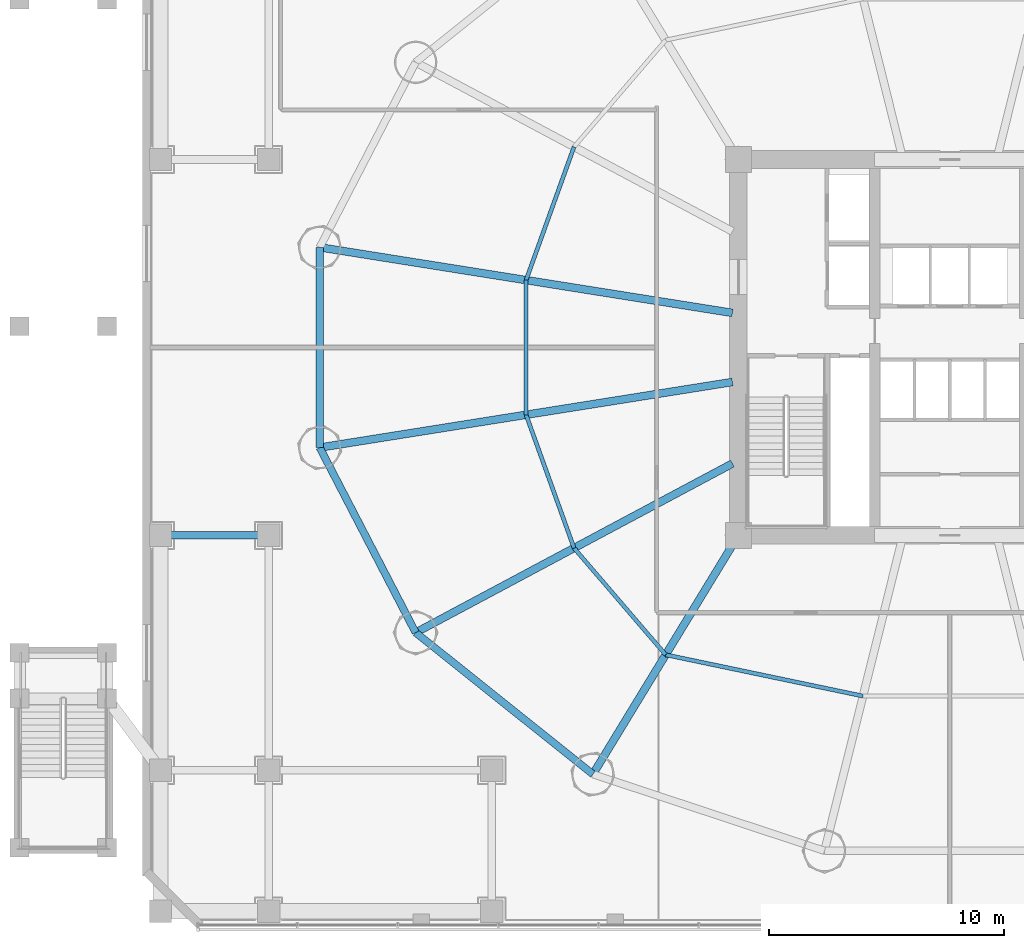
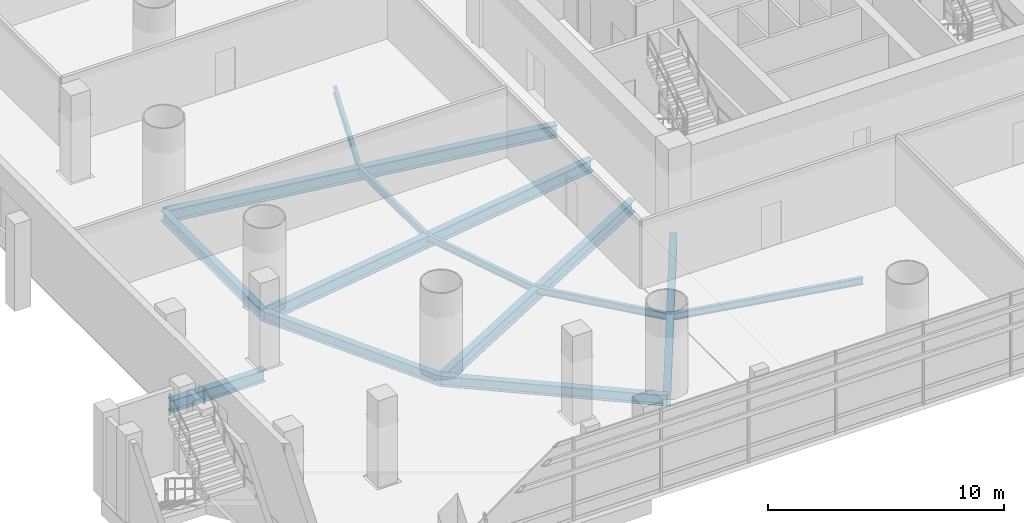
# One storey, part 5 of 36: 13 beams.
"""IFC4 building model written with IfcOpenShell, lengths in metres."""

from ifc_helpers import new_model, si_unit, direction, frame, origin, origin_2d, place, context, subcontext, project, spatial, i_section, extrude, material, material_profile, profile_set, type_object, element, save


model = new_model("IFC4")

# Units and contexts
model_context = context("Model", 3, precision=1e-05, world=origin(), true_north=direction((-0.2419218956, 0.970295726276)))
body_context = subcontext(model_context, "Body", "Model", "MODEL_VIEW")
ifc_project = project(units=[si_unit("LENGTHUNIT", "METRE"), si_unit("AREAUNIT", "SQUARE_METRE"), si_unit("VOLUMEUNIT", "CUBIC_METRE"), si_unit("PLANEANGLEUNIT", "RADIAN"), si_unit("MASSUNIT", "GRAM", prefix="KILO")], contexts=[model_context])

# Site, building, storey
site_placement = place(None, origin())
site = spatial("IfcSite", under=ifc_project, at=site_placement, CompositionType="ELEMENT")
building_placement = place(site_placement, origin())
building = spatial("IfcBuilding", under=site, at=building_placement, Name="Cobrevalo Terracotta Tower", CompositionType="ELEMENT")
storey_placement = place(building_placement, frame((0.0, 0.0, 5.39990234375)))
storey = spatial("IfcBuildingStorey", under=building, at=storey_placement, Name="L01", CompositionType="ELEMENT", Elevation=5.39990234375)

# Beams
ifc_material = material(Name="Steel S355", Category="steel")
ifc_material_profile_1 = material_profile(ifc_material, i_section(OverallWidth=0.324951171875, OverallDepth=0.615966796875, WebThickness=0.013916015625, FlangeThickness=0.021484375, at=origin_2d()), Name="W 610x174")
ifc_profile_set_1 = profile_set([ifc_material_profile_1], Name="Steel S355")
beam_type_1 = type_object("IfcBeamType", Name="Structural Beam W 610x174 (Steel S355)", PredefinedType="BEAM", material=ifc_profile_set_1)
beam_1_placement = place(storey_placement, frame((4.39990234375, 18.800048828125, -0.60791015625), z_axis=(1.0, 0.0, 0.0), x_axis=(0.0, 1.0, 0.0)))
element("IfcBeam", 1, at=beam_1_placement, inside=storey, type_object=beam_type_1, Name="L01 podium grid beam G1-GC to G2-GC", PredefinedType="BEAM", context=body_context, shape_type="SweptSolid", body=[
    extrude(i_section(OverallWidth=0.324951171875, OverallDepth=0.615966796875, WebThickness=0.013916015625, FlangeThickness=0.021484375, at=origin_2d()), origin(), (0.0, 0.0, 1.0), 4.60009765625),
])
ifc_material_profile_2 = material_profile(ifc_material, i_section(OverallWidth=0.3291015625, OverallDepth=0.635009765625, WebThickness=0.017822265625, FlangeThickness=0.031005859375, at=origin_2d()), Name="W 610x241")
ifc_profile_set_2 = profile_set([ifc_material_profile_2], Name="Steel S355")
beam_type_2 = type_object("IfcBeamType", Name="Structural Beam W 610x241 (Steel S355)", PredefinedType="BEAM", material=ifc_profile_set_2)
for number, where, z_axis, x_axis, name in (
    (2, (11.175537109375, 31.062744140625, -0.617431640625), (0.987607924622, -0.156941349628, 0.0), (0.156941349628, 0.987607924622, 0.0), "L01 radial floor girder 08"),
    (3, (11.175537109375, 22.537353515625, -0.617431640625), (0.987607924622, 0.156941349628, 0.0), (-0.156941349628, 0.987607924622, 0.0), "L01 radial floor girder 09"),
):
    element("IfcBeam", number, at=place(storey_placement, frame(where, z_axis=z_axis, x_axis=x_axis)), inside=storey, type_object=beam_type_2, Name=name, PredefinedType="BEAM", context=body_context, shape_type="SweptSolid", body=[
        extrude(i_section(OverallWidth=0.3291015625, OverallDepth=0.635009765625, WebThickness=0.017822265625, FlangeThickness=0.031005859375, at=origin_2d()), origin(), (0.0, 0.0, 1.0), 17.7900390625),
    ])
beam_2_placement = place(storey_placement, frame((15.25927734375, 14.660888671875, -0.617431640625), z_axis=(0.88218223571, 0.470908168329, 0.0), x_axis=(-0.470908168329, 0.88218223571, 0.0)))
element("IfcBeam", 4, at=beam_2_placement, inside=storey, type_object=beam_type_2, Name="L01 radial floor girder 10", PredefinedType="BEAM", context=body_context, shape_type="SweptSolid", body=[
    extrude(i_section(OverallWidth=0.3291015625, OverallDepth=0.635009765625, WebThickness=0.017822265625, FlangeThickness=0.031005859375, at=origin_2d()), origin(), (0.0, 0.0, 1.0), 15.286865234375),
])
beam_3_placement = place(storey_placement, frame((22.80517578125, 8.63232421875, -0.617431640625), z_axis=(0.520300780853, 0.853983077961, 0.0), x_axis=(-0.853983077961, 0.520300780853, 0.0)))
element("IfcBeam", 5, at=beam_3_placement, inside=storey, type_object=beam_type_2, Name="L01 radial floor girder 11", PredefinedType="BEAM", context=body_context, shape_type="SweptSolid", body=[
    extrude(i_section(OverallWidth=0.3291015625, OverallDepth=0.635009765625, WebThickness=0.017822265625, FlangeThickness=0.031005859375, at=origin_2d()), origin(), (0.0, 0.0, 1.0), 11.90625),
])
ifc_material_profile_3 = material_profile(ifc_material, i_section(OverallWidth=0.1708984375, OverallDepth=0.35498046875, WebThickness=0.007080078125, FlangeThickness=0.01171875, at=origin_2d()), Name="W 360x51")
ifc_profile_set_3 = profile_set([ifc_material_profile_3], Name="Steel S355")
beam_type_3 = type_object("IfcBeamType", Name="Structural Joist W 360x51 (Steel S355)", PredefinedType="JOIST", material=ifc_profile_set_3)
beam_4_placement = place(storey_placement, frame((22.002197265625, 35.33984375, -0.477294921875), z_axis=(-0.338672151116, -0.940904444701, 0.0), x_axis=(0.940904444701, -0.338672151116, 0.0)))
element("IfcBeam", 6, at=beam_4_placement, inside=storey, type_object=beam_type_3, Name="L01 circumferential secondary floor joist 07", PredefinedType="JOIST", context=body_context, shape_type="SweptSolid", body=[
    extrude(i_section(OverallWidth=0.1708984375, OverallDepth=0.35498046875, WebThickness=0.007080078125, FlangeThickness=0.01171875, at=origin_2d()), origin(), (0.0, 0.0, 1.0), 6.029296875),
])
beam_5_placement = place(storey_placement, frame((19.960205078125, 29.666748046875, -0.477294921875), z_axis=(0.0, -1.0, 0.0), x_axis=(1.0, 0.0, 0.0)))
element("IfcBeam", 7, at=beam_5_placement, inside=storey, type_object=beam_type_3, Name="L01 circumferential secondary floor joist 08", PredefinedType="JOIST", context=body_context, shape_type="SweptSolid", body=[
    extrude(i_section(OverallWidth=0.1708984375, OverallDepth=0.35498046875, WebThickness=0.007080078125, FlangeThickness=0.01171875, at=origin_2d()), origin(), (0.0, 0.0, 1.0), 5.7333984375),
])
beam_6_placement = place(storey_placement, frame((19.960205078125, 23.933349609375, -0.477294921875), z_axis=(0.338672151116, -0.940904444701, 0.0), x_axis=(0.940904444701, 0.338672151116, 0.0)))
element("IfcBeam", 8, at=beam_6_placement, inside=storey, type_object=beam_type_3, Name="L01 circumferential secondary floor joist 09", PredefinedType="JOIST", context=body_context, shape_type="SweptSolid", body=[
    extrude(i_section(OverallWidth=0.1708984375, OverallDepth=0.35498046875, WebThickness=0.007080078125, FlangeThickness=0.01171875, at=origin_2d()), origin(), (0.0, 0.0, 1.0), 6.029296875),
])
beam_7_placement = place(storey_placement, frame((22.002197265625, 18.26025390625, -0.477294921875), z_axis=(0.651328404454, -0.758795960421, 0.0), x_axis=(0.758795960421, 0.651328404454, 0.0)))
element("IfcBeam", 9, at=beam_7_placement, inside=storey, type_object=beam_type_3, Name="L01 circumferential secondary floor joist 10", PredefinedType="JOIST", context=body_context, shape_type="SweptSolid", body=[
    extrude(i_section(OverallWidth=0.1708984375, OverallDepth=0.35498046875, WebThickness=0.007080078125, FlangeThickness=0.01171875, at=origin_2d()), origin(), (0.0, 0.0, 1.0), 5.98828125),
])
beam_8_placement = place(storey_placement, frame((25.902587890625, 13.71630859375, -0.477294921875), z_axis=(0.978784523904, -0.204892302848, 0.0), x_axis=(0.204892302848, 0.978784523904, 0.0)))
element("IfcBeam", 10, at=beam_8_placement, inside=storey, type_object=beam_type_3, Name="L01 circumferential secondary floor joist 11", PredefinedType="JOIST", context=body_context, shape_type="SweptSolid", body=[
    extrude(i_section(OverallWidth=0.1708984375, OverallDepth=0.35498046875, WebThickness=0.007080078125, FlangeThickness=0.01171875, at=origin_2d()), origin(), (0.0, 0.0, 1.0), 8.583984375),
])
ifc_material_profile_4 = material_profile(ifc_material, i_section(OverallWidth=0.31201171875, OverallDepth=0.54296875, WebThickness=0.0126953125, FlangeThickness=0.020263671875, at=origin_2d()), Name="W 530x150")
ifc_profile_set_4 = profile_set([ifc_material_profile_4], Name="Steel S355")
beam_type_4 = type_object("IfcBeamType", Name="Structural Spandrel W 530x150 (Steel S355)", PredefinedType="SPANDREL", material=ifc_profile_set_4)
beam_9_placement = place(storey_placement, frame((11.175537109375, 31.062744140625, -0.5712890625), z_axis=(0.0, -1.0, 0.0), x_axis=(1.0, 0.0, 0.0)))
element("IfcBeam", 11, at=beam_9_placement, inside=storey, type_object=beam_type_4, Name="L01 perimeter ring spandrel 08", PredefinedType="SPANDREL", context=body_context, shape_type="SweptSolid", body=[
    extrude(i_section(OverallWidth=0.31201171875, OverallDepth=0.54296875, WebThickness=0.0126953125, FlangeThickness=0.020263671875, at=origin_2d()), origin(), (0.0, 0.0, 1.0), 8.525390625),
])
beam_10_placement = place(storey_placement, frame((11.175537109375, 22.537353515625, -0.5712890625), z_axis=(0.460285838799, -0.88777077368, 0.0), x_axis=(0.88777077368, 0.460285838799, 0.0)))
element("IfcBeam", 12, at=beam_10_placement, inside=storey, type_object=beam_type_4, Name="L01 perimeter ring spandrel 09", PredefinedType="SPANDREL", context=body_context, shape_type="SweptSolid", body=[
    extrude(i_section(OverallWidth=0.31201171875, OverallDepth=0.54296875, WebThickness=0.0126953125, FlangeThickness=0.020263671875, at=origin_2d()), origin(), (0.0, 0.0, 1.0), 8.8720703125),
])
beam_11_placement = place(storey_placement, frame((15.25927734375, 14.660888671875, -0.5712890625), z_axis=(0.781280479891, -0.62418011162, 0.0), x_axis=(0.62418011162, 0.781280479891, 0.0)))
element("IfcBeam", 13, at=beam_11_placement, inside=storey, type_object=beam_type_4, Name="L01 perimeter ring spandrel 10", PredefinedType="SPANDREL", context=body_context, shape_type="SweptSolid", body=[
    extrude(i_section(OverallWidth=0.31201171875, OverallDepth=0.54296875, WebThickness=0.0126953125, FlangeThickness=0.020263671875, at=origin_2d()), origin(), (0.0, 0.0, 1.0), 9.658447265625),
])

save(model, "model.ifc")
